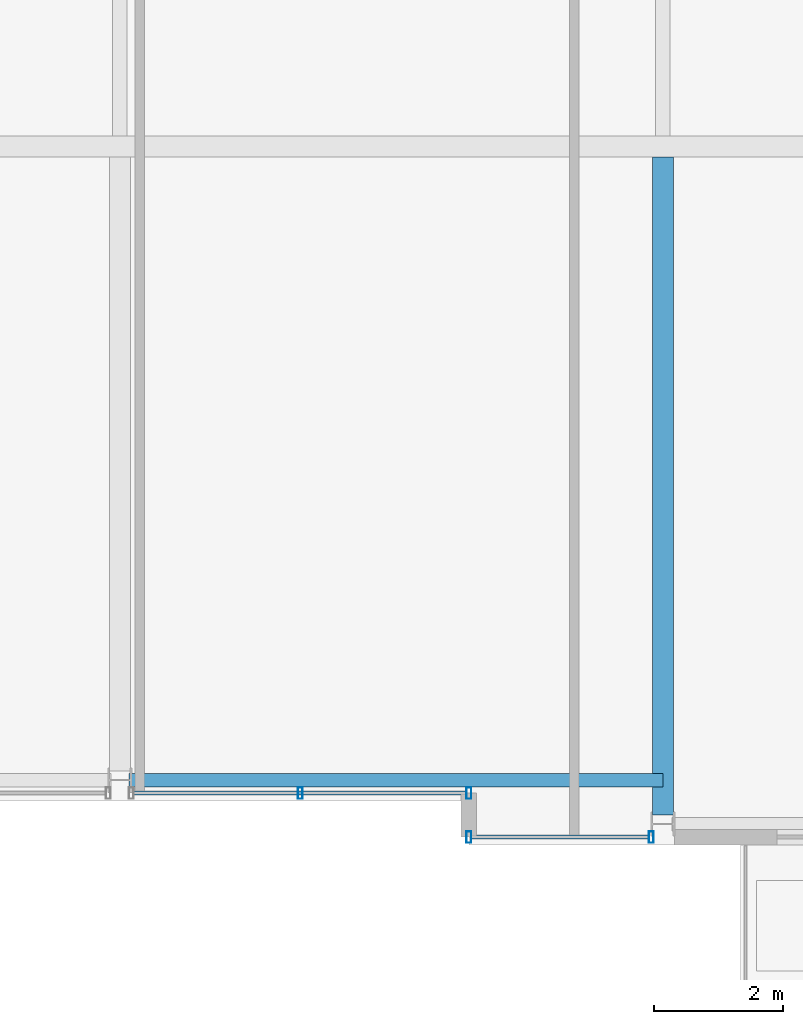
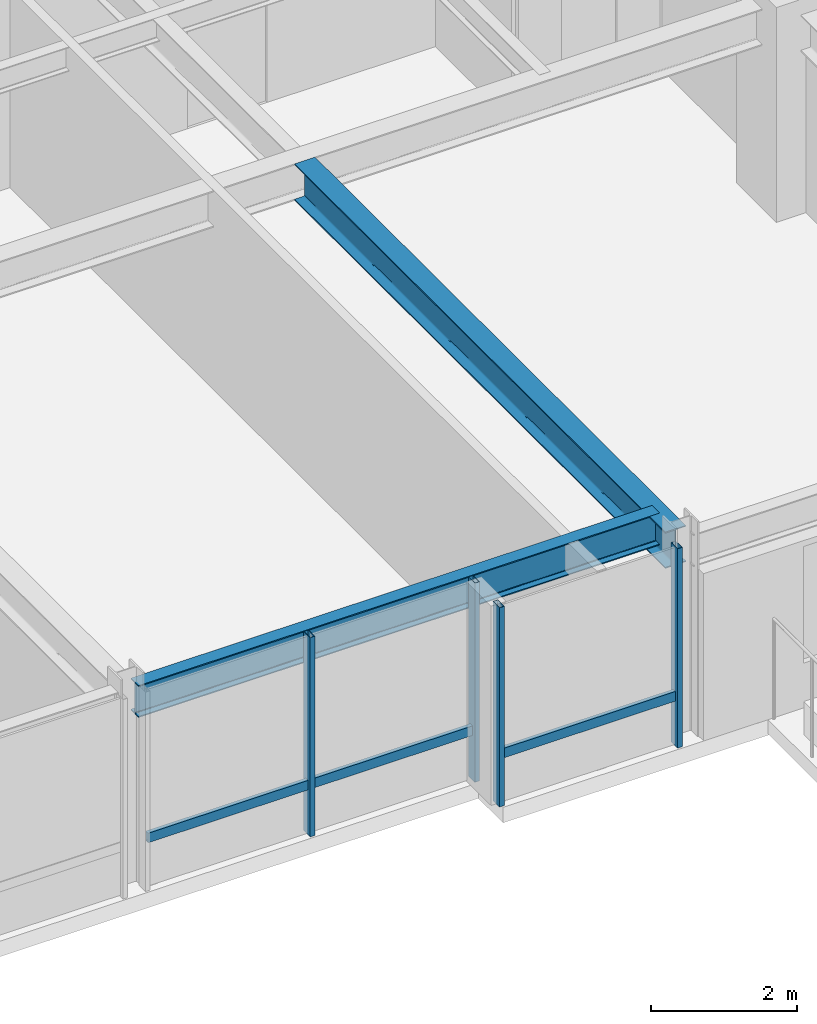
# One storey, part 8 of 32: 6 members, 2 beams, 2 elements without a shape of their own.
"""IFC4 building model written with IfcOpenShell, lengths in metres."""

from ifc_helpers import new_model, si_unit, direction, frame, origin, origin_2d, place, context, subcontext, project, spatial, hollow_rectangle, i_section, extrude, material, layer, layer_set, material_profile, profile_set, type_object, element, aggregate, save


model = new_model("IFC4")

# Units and contexts
model_context = context("Model", 3, precision=1e-05, world=origin(), true_north=direction((0.0, 1.0)))
body_context = subcontext(model_context, "Body", "Model", "MODEL_VIEW")
ifc_project = project(units=[si_unit("LENGTHUNIT", "METRE"), si_unit("AREAUNIT", "SQUARE_METRE"), si_unit("VOLUMEUNIT", "CUBIC_METRE"), si_unit("PLANEANGLEUNIT", "RADIAN"), si_unit("MASSUNIT", "GRAM", prefix="KILO")], contexts=[model_context])

# Site, building, storey
site_placement = place(None, origin())
site = spatial("IfcSite", under=ifc_project, at=site_placement, CompositionType="ELEMENT")
building_placement = place(site_placement, origin())
building = spatial("IfcBuilding", under=site, at=building_placement, Name="Drelvath Grand Hotel", CompositionType="ELEMENT")
storey_placement = place(building_placement, frame((0.0, 0.0, 237.5)))
storey = spatial("IfcBuildingStorey", under=building, at=storey_placement, Name="L62", CompositionType="ELEMENT", Elevation=237.5)

# Curtain wall, member
ifc_material_1 = material(Name="Platinum-Mist Anodised Aluminium Frame", Category="aluminium")
ifc_layer = layer(ifc_material_1, 0.199951171875)
ifc_layer_set = layer_set([ifc_layer], Name="Platinum-Mist Anodised Aluminium Frame")
curtain_wall_type = type_object("IfcCurtainWallType", Name="Stick Curtain Wall CW-05 Platinum Mist High-Rise", PredefinedType="NOTDEFINED", material=ifc_layer_set)
curtain_wall_1_placement = place(storey_placement, origin())
curtain_wall_1 = element("IfcCurtainWall", 1, at=curtain_wall_1_placement, inside=storey, type_object=curtain_wall_type, Name="L62 CW-05 Curtain Wall CW05-L62-SE1", PredefinedType="NOTDEFINED")
ifc_material_profile_1 = material_profile(ifc_material_1, hollow_rectangle(XDim=0.06494140625, YDim=0.159912109375, WallThickness=0.00390625, at=origin_2d()), Name="HSS160X65X4")
ifc_profile_set_1 = profile_set([ifc_material_profile_1], Name="Platinum-Mist Anodised Aluminium Frame")
member_type_1 = type_object("IfcMemberType", Name="Curtain Wall Horizontal Transom CW-05 HSS160X65X4", PredefinedType="USERDEFINED", material=ifc_profile_set_1)
member_1_placement = place(storey_placement, frame((8.181884765625, 0.1201171875, 0.8349609375), z_axis=(-1.0, 0.0, 0.0), x_axis=(0.0, -1.0, 0.0)))
member_1 = element("IfcMember", 2, at=member_1_placement, type_object=member_type_1, Name="CW05-L62-SE1 Sill Transom", ObjectType="TRANSOM", PredefinedType="USERDEFINED", context=body_context, shape_type="SweptSolid", body=[
    extrude(hollow_rectangle(XDim=0.06494140625, YDim=0.159912109375, WallThickness=0.00390625, at=origin_2d()), origin(), (0.0, 0.0, 1.0), 2.741943359375),
])

curtain_wall_2_placement = place(storey_placement, origin())
curtain_wall_2 = element("IfcCurtainWall", 3, at=curtain_wall_2_placement, inside=storey, type_object=curtain_wall_type, Name="L62 CW-05 Curtain Wall CW05-L62-SM2", PredefinedType="NOTDEFINED")
member_2_placement = place(storey_placement, frame((5.360107421875, 0.800048828125, 0.8349609375), z_axis=(-1.0, 0.0, 0.0), x_axis=(0.0, -1.0, 0.0)))
member_2 = element("IfcMember", 4, at=member_2_placement, type_object=member_type_1, Name="CW05-L62-SM2 Sill Transom", ObjectType="TRANSOM", PredefinedType="USERDEFINED", context=body_context, shape_type="SweptSolid", body=[
    extrude(hollow_rectangle(XDim=0.06494140625, YDim=0.159912109375, WallThickness=0.00390625, at=origin_2d()), origin(), (0.0, 0.0, 1.0), 5.141845703125),
])

# Member
ifc_material_profile_2 = material_profile(ifc_material_1, hollow_rectangle(XDim=0.074951171875, YDim=0.179931640625, WallThickness=0.0048828125, at=origin_2d()), Name="HSS180X75X5")
ifc_profile_set_2 = profile_set([ifc_material_profile_2], Name="Platinum-Mist Anodised Aluminium Frame")
member_type_2 = type_object("IfcMemberType", Name="Curtain Wall Vertical Mullion CW-05 HSS180X75X5", PredefinedType="MULLION", material=ifc_profile_set_2)
member_3_placement = place(storey_placement, frame((8.2216796875, 0.1201171875, 0.0), z_axis=(0.0, 0.0, 1.0), x_axis=(1.0, 0.0, 0.0)))
member_3 = element("IfcMember", 5, at=member_3_placement, type_object=member_type_2, Name="CW05-L62-SE1 Mullion 1", PredefinedType="MULLION", context=body_context, shape_type="SweptSolid", body=[
    extrude(hollow_rectangle(XDim=0.074951171875, YDim=0.179931640625, WallThickness=0.0048828125, at=origin_2d()), origin(), (0.0, 0.0, 1.0), 3.340087890625),
])

member_4_placement = place(storey_placement, frame((5.39990234375, 0.1201171875, 0.0), z_axis=(0.0, 0.0, 1.0), x_axis=(1.0, 0.0, 0.0)))
member_4 = element("IfcMember", 6, at=member_4_placement, type_object=member_type_2, Name="CW05-L62-SE1 Mullion 2", PredefinedType="MULLION", context=body_context, shape_type="SweptSolid", body=[
    extrude(hollow_rectangle(XDim=0.074951171875, YDim=0.179931640625, WallThickness=0.0048828125, at=origin_2d()), origin(), (0.0, 0.0, 1.0), 3.340087890625),
])

aggregate(curtain_wall_1, [member_3, member_4, member_1])

member_5_placement = place(storey_placement, frame((5.39990234375, 0.800048828125, 0.0), z_axis=(0.0, 0.0, 1.0), x_axis=(1.0, 0.0, 0.0)))
member_5 = element("IfcMember", 7, at=member_5_placement, type_object=member_type_2, Name="CW05-L62-SM2 Mullion 1", PredefinedType="MULLION", context=body_context, shape_type="SweptSolid", body=[
    extrude(hollow_rectangle(XDim=0.074951171875, YDim=0.179931640625, WallThickness=0.0048828125, at=origin_2d()), origin(), (0.0, 0.0, 1.0), 3.340087890625),
])

member_6_placement = place(storey_placement, frame((2.7890625, 0.800048828125, 0.0), z_axis=(0.0, 0.0, 1.0), x_axis=(1.0, 0.0, 0.0)))
member_6 = element("IfcMember", 8, at=member_6_placement, type_object=member_type_2, Name="CW05-L62-SM2 Mullion 2", PredefinedType="MULLION", context=body_context, shape_type="SweptSolid", body=[
    extrude(hollow_rectangle(XDim=0.074951171875, YDim=0.179931640625, WallThickness=0.0048828125, at=origin_2d()), origin(), (0.0, 0.0, 1.0), 3.340087890625),
])

aggregate(curtain_wall_2, [member_5, member_6, member_2])

# Beams
ifc_material_2 = material(Name="Steel ASTM A992 Gr 50", Category="steel")
ifc_material_profile_3 = material_profile(ifc_material_2, i_section(OverallWidth=0.210205078125, OverallDepth=0.53662109375, WebThickness=0.010986328125, FlangeThickness=0.017333984375, FilletRadius=0.01806640625, at=origin_2d()), Name="W21X68")
ifc_profile_set_3 = profile_set([ifc_material_profile_3], Name="Steel ASTM A992 Gr 50")
beam_type_1 = type_object("IfcBeamType", Name="Perimeter Spandrel Beam W21X68", PredefinedType="SPANDREL", material=ifc_profile_set_3)
beam_1_placement = place(storey_placement, frame((0.139892578125, 1.0, 3.07177734375), z_axis=(1.0, 0.0, 0.0), x_axis=(0.0, 1.0, 0.0)))
element("IfcBeam", 9, at=beam_1_placement, inside=storey, type_object=beam_type_1, Name="L62 Spandrel South Mid E", PredefinedType="SPANDREL", context=body_context, shape_type="SweptSolid", body=[
    extrude(i_section(OverallWidth=0.210205078125, OverallDepth=0.53662109375, WebThickness=0.010986328125, FlangeThickness=0.017333984375, FilletRadius=0.01806640625, at=origin_2d()), origin(), (0.0, 0.0, 1.0), 8.260009765625),
])
ifc_material_profile_4 = material_profile(ifc_material_2, i_section(OverallWidth=0.323974609375, OverallDepth=0.611083984375, WebThickness=0.0126953125, FlangeThickness=0.01904296875, FilletRadius=0.02197265625, at=origin_2d()), Name="W24X104")
ifc_profile_set_4 = profile_set([ifc_material_profile_4], Name="Steel ASTM A992 Gr 50")
beam_type_2 = type_object("IfcBeamType", Name="Primary Floor Girder W24X104", PredefinedType="BEAM", material=ifc_profile_set_4)
beam_2_placement = place(storey_placement, frame((8.39990234375, 0.4599609375, 3.034423828125), z_axis=(0.0, 1.0, 0.0), x_axis=(-1.0, 0.0, 0.0)))
element("IfcBeam", 10, at=beam_2_placement, inside=storey, type_object=beam_type_2, Name="L62 South Wing Girder 6", PredefinedType="BEAM", context=body_context, shape_type="SweptSolid", body=[
    extrude(i_section(OverallWidth=0.323974609375, OverallDepth=0.611083984375, WebThickness=0.0126953125, FlangeThickness=0.01904296875, FilletRadius=0.02197265625, at=origin_2d()), origin(), (0.0, 0.0, 1.0), 10.177978515625),
])

save(model, "model.ifc")
